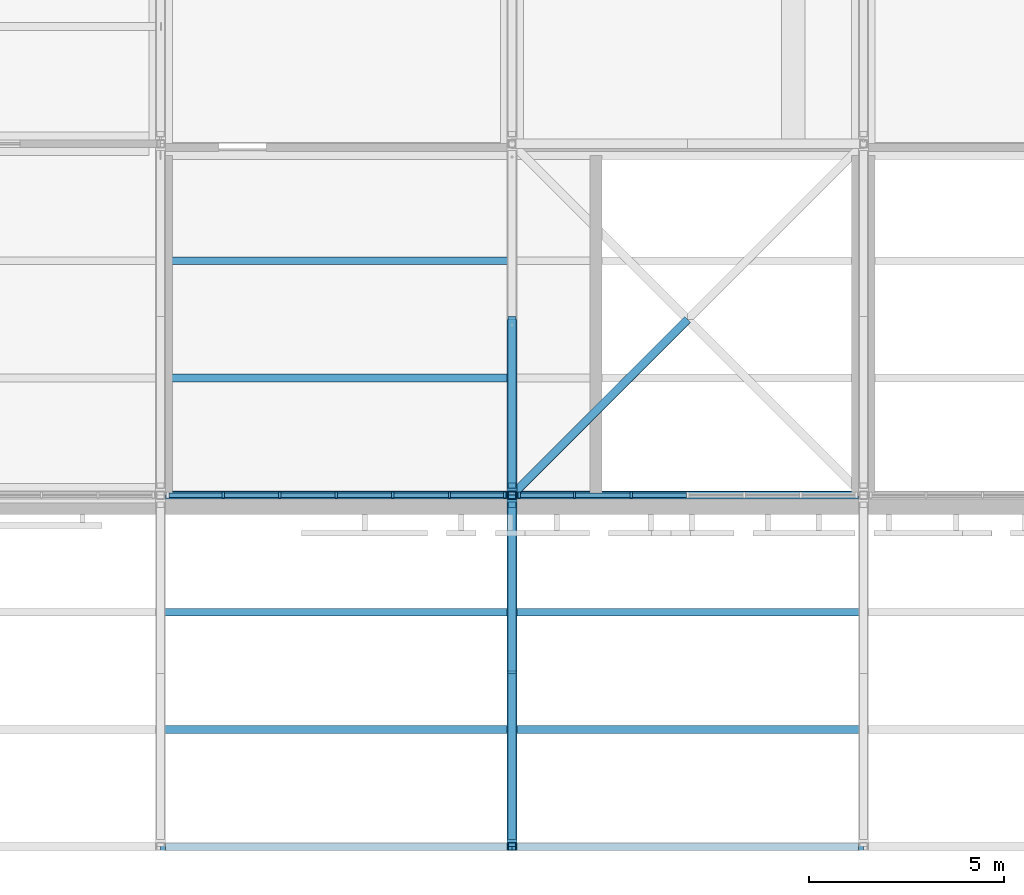
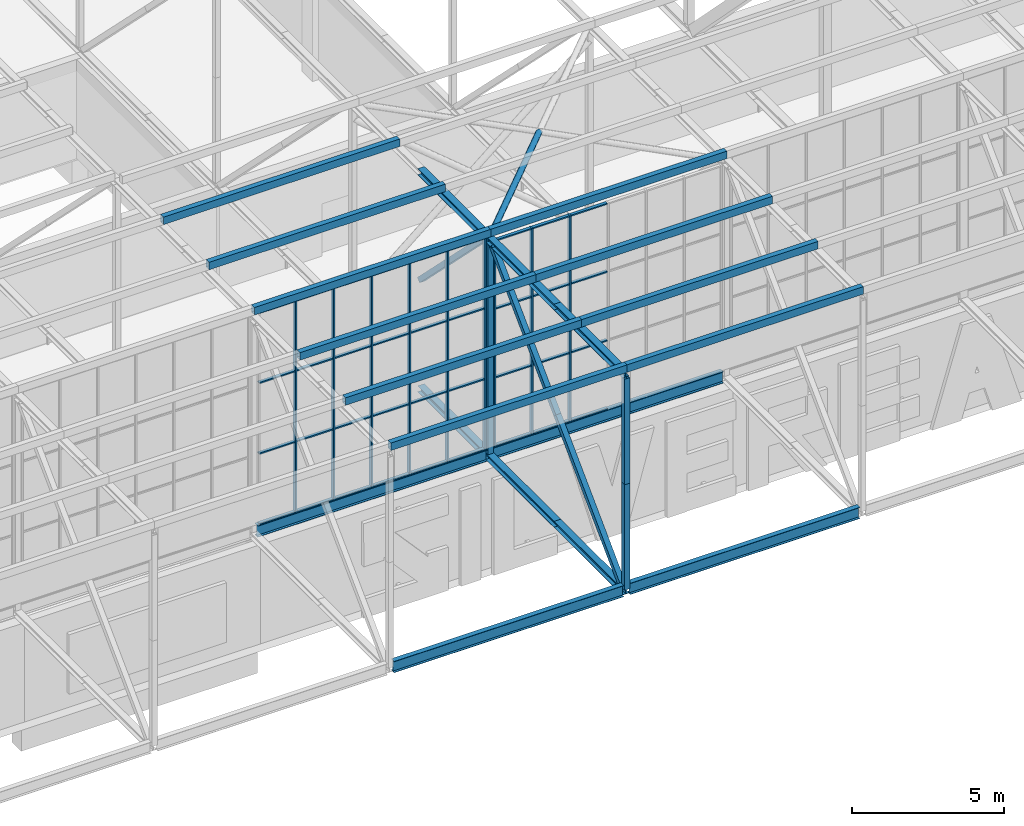
# One storey, part 16 of 646: 69 members, 4 beams, 2 elements without a shape of their own.
"""IFC4 building model written with IfcOpenShell, lengths in metres."""

import ifcopenshell
import ifcopenshell.guid

model = None  # the IFC model being written
_history = None  # IfcOwnerHistory: only IFC2X3 demands one
_inside = {}  # id of a spatial element -> (the spatial element, [elements in it])
_under = {}  # id of a project, library or spatial element -> (it, [spatial elements below it])
_declared = {}  # id of a project -> (the project, [libraries it declares])
_typed = {}  # id of a type object -> (the type object, [elements of that type])
_made_of = {}  # id of a material, layer set ... -> (it, [elements and type objects made of it])


def new_model(schema):
    """Start an empty IFC model of exactly this schema.

    Asked for "IFC4X3", IfcOpenShell would pick the latest addendum, in which some entities
    have other attributes; the version numbers below select the first issue.
    IFC2X3 requires an IfcOwnerHistory on every rooted entity: one is made here for all.
    """
    global model, _history
    if schema == "IFC4X3":
        model = ifcopenshell.file(schema_version=(4, 3, 0, 0))
    else:
        model = ifcopenshell.file(schema=schema)
    _inside.clear()
    _under.clear()
    _declared.clear()
    _typed.clear()
    _made_of.clear()
    _history = None
    if model.schema == "IFC2X3":
        org = make("IfcOrganization", Name="unknown")
        user = make(
            "IfcPersonAndOrganization",
            ThePerson=make("IfcPerson", FamilyName="unknown"),
            TheOrganization=org,
        )
        app = make(
            "IfcApplication",
            ApplicationDeveloper=org,
            Version="unknown",
            ApplicationFullName="unknown",
            ApplicationIdentifier="unknown",
        )
        _history = make(
            "IfcOwnerHistory",
            OwningUser=user,
            OwningApplication=app,
            ChangeAction="ADDED",
            CreationDate=0,
        )
    return model


def make(cls, **values):
    """One entity of the class cls with the attributes given. An attribute that is None is left unset."""
    return model.create_entity(
        cls, **{name: value for name, value in values.items() if value is not None}
    )


def rooted(cls, **values):
    """An entity with a GlobalId (a new one), such as an element, a storey or a relation."""
    return make(cls, GlobalId=ifcopenshell.guid.new(), OwnerHistory=_history, **values)


def si_unit(unit_type, name, prefix=None):
    """IfcSIUnit, for example si_unit("LENGTHUNIT", "METRE", prefix="MILLI")."""
    return make("IfcSIUnit", UnitType=unit_type, Prefix=prefix, Name=name)


def assignment(units):
    """IfcUnitAssignment: the units of a project."""
    return None if units is None else make("IfcUnitAssignment", Units=units)


def point(xyz):
    """IfcCartesianPoint."""
    return None if xyz is None else make("IfcCartesianPoint", Coordinates=xyz)


def direction(xyz):
    """IfcDirection."""
    return None if xyz is None else make("IfcDirection", DirectionRatios=xyz)


def frame(location, z_axis=None, x_axis=None):
    """IfcAxis2Placement3D, a coordinate frame: its origin and axes. An axis left out is left unset."""
    return make(
        "IfcAxis2Placement3D",
        Location=point(location),
        Axis=direction(z_axis),
        RefDirection=direction(x_axis),
    )


def frame_2d(location, x_axis=None):
    """IfcAxis2Placement2D, a coordinate frame in the plane: its origin and x axis."""
    return make(
        "IfcAxis2Placement2D", Location=point(location), RefDirection=direction(x_axis)
    )


def origin():
    """The frame at (0, 0, 0) with its axes left unset."""
    return frame((0.0, 0.0, 0.0))


def origin_2d():
    """The frame at (0, 0) in the plane with its x axis left unset."""
    return frame_2d((0.0, 0.0))


def place(relative_to, where):
    """IfcLocalPlacement: puts the frame where relative to a parent placement (None: the world)."""
    return make(
        "IfcLocalPlacement", PlacementRelTo=relative_to, RelativePlacement=where
    )


def context(
    kind, dimensions, precision=None, world=None, true_north=None, identifier=None
):
    """IfcGeometricRepresentationContext, for example the 3D "Model" context."""
    return make(
        "IfcGeometricRepresentationContext",
        ContextIdentifier=identifier,
        ContextType=kind,
        CoordinateSpaceDimension=dimensions,
        Precision=precision,
        WorldCoordinateSystem=world,
        TrueNorth=true_north,
    )


def subcontext(parent, identifier, kind, view, scale=None):
    """IfcGeometricRepresentationSubContext, for example "Body" below "Model"."""
    return make(
        "IfcGeometricRepresentationSubContext",
        ContextIdentifier=identifier,
        ContextType=kind,
        ParentContext=parent,
        TargetScale=scale,
        TargetView=view,
    )


def project(units=None, contexts=None):
    """IfcProject with its units and contexts."""
    return rooted(
        "IfcProject",
        Name="project",
        RepresentationContexts=contexts,
        UnitsInContext=assignment(units),
    )


def spatial(cls, under=None, at=None, **own):
    """A site, building, storey or space (cls), placed at a placement, below another one or the project."""
    s = rooted(cls, ObjectPlacement=at, **own)
    if under is not None:
        _under.setdefault(under.id(), (under, []))[1].append(s)
    return s


def profile(cls, at=None, kind="AREA", **sizes):
    """A parametric profile (cls). Its sizes go by their IFC names, for example OverallWidth=200.0."""
    return make(cls, ProfileType=kind, Position=at, **sizes)


def rectangle(**sizes):
    """IfcRectangleProfileDef."""
    return profile("IfcRectangleProfileDef", **sizes)


def hollow_rectangle(**sizes):
    """IfcRectangleHollowProfileDef."""
    return profile("IfcRectangleHollowProfileDef", **sizes)


def hollow_circle(**sizes):
    """IfcCircleHollowProfileDef."""
    return profile("IfcCircleHollowProfileDef", **sizes)


def i_section(**sizes):
    """IfcIShapeProfileDef."""
    return profile("IfcIShapeProfileDef", **sizes)


def extrude(swept, where, along, depth):
    """IfcExtrudedAreaSolid: the profile swept, set in the frame where, extruded along a direction by depth."""
    return make(
        "IfcExtrudedAreaSolid",
        SweptArea=swept,
        Position=where,
        ExtrudedDirection=direction(along),
        Depth=depth,
    )


def shape(context_of_items, identifier, shape_type, items):
    """IfcShapeRepresentation: the items that make up one representation, for example the "Body"."""
    return make(
        "IfcShapeRepresentation",
        ContextOfItems=context_of_items,
        RepresentationIdentifier=identifier,
        RepresentationType=shape_type,
        Items=items,
    )


def material(Name=None, Category=None):
    """IfcMaterial."""
    return make("IfcMaterial", Name=Name, Category=Category)


def material_profile(
    of_material, cross_section, Name=None, Category=None, Priority=None
):
    """IfcMaterialProfile: a cross section and its material."""
    return make(
        "IfcMaterialProfile",
        Name=Name,
        Material=of_material,
        Profile=cross_section,
        Priority=Priority,
        Category=Category,
    )


def profile_set(profiles, Name=None, composite=None):
    """IfcMaterialProfileSet."""
    return make(
        "IfcMaterialProfileSet",
        Name=Name,
        MaterialProfiles=profiles,
        CompositeProfile=composite,
    )


def made_of(thing, what):
    """Note that an element or type object is made of a material, layer set ...; save() writes the relation."""
    if what is not None:
        _made_of.setdefault(what.id(), (what, []))[1].append(thing)
    return thing


def type_object(cls, material=None, **own):
    """A type object (cls), such as IfcWallType, which elements share."""
    return made_of(rooted(cls, **own), material)


def element(
    cls,
    number,
    at=None,
    inside=None,
    cuts=None,
    type_object=None,
    material=None,
    context=None,
    identifier="Body",
    shape_type=None,
    held_by="IfcProductDefinitionShape",
    body=None,
    shapes=None,
    **own,
):
    """One element of the class cls, such as IfcWall. Its Tag is "e" and its number.

    at: its placement. inside: the storey or other place that contains it. cuts: it is an
    opening in that element (IfcRelVoidsElement). A single representation is given by context,
    identifier, shape_type and body (its items); several are given by shapes. held_by: the class
    of the entity that holds the representations. save() writes the other relations.
    """
    e = rooted(cls, Tag="e%d" % number, ObjectPlacement=at, **own)
    if body is not None:
        shapes = [shape(context, identifier, shape_type, body)]
    if shapes is not None:
        e.Representation = make(held_by, Representations=shapes)
    if inside is not None:
        _inside.setdefault(inside.id(), (inside, []))[1].append(e)
    if cuts is not None:
        rooted(
            "IfcRelVoidsElement", RelatingBuildingElement=cuts, RelatedOpeningElement=e
        )
    if type_object is not None:
        _typed.setdefault(type_object.id(), (type_object, []))[1].append(e)
    return made_of(e, material)


def aggregate(whole, parts):
    """IfcRelAggregates: a whole, such as a stair, and the parts it consists of."""
    return rooted("IfcRelAggregates", RelatingObject=whole, RelatedObjects=parts)


def save(model, path):
    """Write the relations noted so far, then the file.

    IfcRelAggregates (storeys below a building ...), IfcRelContainedInSpatialStructure (elements
    in a storey), IfcRelDefinesByType, IfcRelAssociatesMaterial and IfcRelDeclares: one each for
    every whole, place, type object, material and project.
    """
    for whole, parts in _under.values():
        aggregate(whole, parts)
    for where, things in _inside.values():
        rooted(
            "IfcRelContainedInSpatialStructure",
            RelatedElements=things,
            RelatingStructure=where,
        )
    for kind, things in _typed.values():
        rooted("IfcRelDefinesByType", RelatedObjects=things, RelatingType=kind)
    for what, things in _made_of.values():
        rooted("IfcRelAssociatesMaterial", RelatedObjects=things, RelatingMaterial=what)
    for by, libraries in _declared.values():
        rooted("IfcRelDeclares", RelatingContext=by, RelatedDefinitions=libraries)
    model.write(path)


model = new_model("IFC4")

# Units and contexts
model_context = context("Model", 3, precision=1e-05, world=origin(), true_north=direction((0.0, 1.0)))
body_context = subcontext(model_context, "Body", "Model", "MODEL_VIEW")
ifc_project = project(units=[si_unit("LENGTHUNIT", "METRE"), si_unit("AREAUNIT", "SQUARE_METRE"), si_unit("VOLUMEUNIT", "CUBIC_METRE"), si_unit("PLANEANGLEUNIT", "RADIAN"), si_unit("MASSUNIT", "GRAM", prefix="KILO")], contexts=[model_context])

# Site, building, storey
site_placement = place(None, origin())
site = spatial("IfcSite", under=ifc_project, at=site_placement, CompositionType="ELEMENT")
building_placement = place(site_placement, origin())
building = spatial("IfcBuilding", under=site, at=building_placement, Name="Silverbay Arena", CompositionType="ELEMENT")
storey_placement = place(building_placement, frame((0.0, 0.0, 33.5)))
storey = spatial("IfcBuildingStorey", under=building, at=storey_placement, Name="L05", CompositionType="ELEMENT", Elevation=33.5)

# Members
ifc_material_1 = material(Name="Steel S355", Category="steel")
ifc_material_profile_1 = material_profile(ifc_material_1, i_section(OverallWidth=0.254638671875, OverallDepth=0.254150390625, WebThickness=0.008544921875, FlangeThickness=0.01416015625, at=origin_2d()), Name="UC 254x254x73")
ifc_profile_set_1 = profile_set([ifc_material_profile_1], Name="Steel S355")
member_type_1 = type_object("IfcMemberType", Name="Medium-span bottom chord UC 254x254x73", PredefinedType="CHORD", material=ifc_profile_set_1)
for number, where, z_axis, x_axis, name in (
    (1, (90.0, 9.0, 4.126953125), (0.0, 1.0, 0.0), (-1.0, 0.0, 0.0), "ROOF TRUSS 11 bottom chord 01a"),
    (2, (90.0, 13.5, 4.126953125), (0.0, 1.0, 0.0), (-1.0, 0.0, 0.0), "ROOF TRUSS 11 bottom chord 01b"),
    (3, (90.0, 18.0, 4.126953125), (0.0, 1.0, 0.0), (-1.0, 0.0, 0.0), "ROOF TRUSS 11 bottom chord 02a"),
):
    element("IfcMember", number, at=place(storey_placement, frame(where, z_axis=z_axis, x_axis=x_axis)), inside=storey, type_object=member_type_1, Name=name, PredefinedType="CHORD", context=body_context, shape_type="SweptSolid", body=[
        extrude(i_section(OverallWidth=0.254638671875, OverallDepth=0.254150390625, WebThickness=0.008544921875, FlangeThickness=0.01416015625, at=origin_2d()), origin(), (0.0, 0.0, 1.0), 4.5),
    ])
ifc_material_2 = material(Name="Steel S355", Category="steel")
ifc_material_profile_2 = material_profile(ifc_material_2, i_section(OverallWidth=0.254638671875, OverallDepth=0.254150390625, WebThickness=0.008544921875, FlangeThickness=0.01416015625, at=origin_2d()), Name="UC 254x254x73")
ifc_profile_set_2 = profile_set([ifc_material_profile_2], Name="Steel S355")
member_type_2 = type_object("IfcMemberType", Name="Medium-span top chord UC 254x254x73", PredefinedType="CHORD", material=ifc_profile_set_2)
for number, where, z_axis, x_axis, name in (
    (4, (90.0, 9.0, 12.873046875), (0.0, 1.0, 0.0), (-1.0, 0.0, 0.0), "ROOF TRUSS 11 top chord 01a"),
    (5, (90.0, 13.5, 12.873046875), (0.0, 1.0, 0.0), (-1.0, 0.0, 0.0), "ROOF TRUSS 11 top chord 01b"),
    (6, (90.0, 18.0, 12.873046875), (0.0, 1.0, 0.0), (-1.0, 0.0, 0.0), "ROOF TRUSS 11 top chord 02a"),
):
    element("IfcMember", number, at=place(storey_placement, frame(where, z_axis=z_axis, x_axis=x_axis)), inside=storey, type_object=member_type_2, Name=name, PredefinedType="CHORD", context=body_context, shape_type="SweptSolid", body=[
        extrude(i_section(OverallWidth=0.254638671875, OverallDepth=0.254150390625, WebThickness=0.008544921875, FlangeThickness=0.01416015625, at=origin_2d()), origin(), (0.0, 0.0, 1.0), 4.5),
    ])
ifc_material_3 = material(Name="Steel S355", Category="steel")
ifc_material_profile_3 = material_profile(ifc_material_3, hollow_rectangle(XDim=0.199951171875, YDim=0.199951171875, WallThickness=0.008056640625, at=origin_2d()), Name="SHS 200x200x8")
ifc_profile_set_3 = profile_set([ifc_material_profile_3], Name="Steel S355")
member_type_3 = type_object("IfcMemberType", Name="Medium-span truss diagonal SHS 200x200x8", PredefinedType="BRACE", material=ifc_profile_set_3)
for number, where, z_axis, x_axis, name in (
    (7, (90.0, 17.75439453125, 12.745849609375), (0.0, -0.70781724692, -0.706395600894), (1.0, 0.0, 0.0), "ROOF TRUSS 11 diagonal 01a"),
    (8, (90.0, 13.5, 8.5), (0.0, -0.70781724692, -0.706395600894), (1.0, 0.0, 0.0), "ROOF TRUSS 11 diagonal 01b"),
    (9, (90.0, 18.24560546875, 12.745849609375), (0.0, 0.70781724692, -0.706395600894), (-1.0, 0.0, 0.0), "ROOF TRUSS 11 diagonal 02a"),
):
    element("IfcMember", number, at=place(storey_placement, frame(where, z_axis=z_axis, x_axis=x_axis)), inside=storey, type_object=member_type_3, Name=name, PredefinedType="BRACE", context=body_context, shape_type="SweptSolid", body=[
        extrude(hollow_rectangle(XDim=0.199951171875, YDim=0.199951171875, WallThickness=0.008056640625, at=origin_2d()), origin(), (0.0, 0.0, 1.0), 6.010498046875),
    ])
ifc_material_4 = material(Name="Steel S355", Category="steel")
ifc_material_profile_4 = material_profile(ifc_material_4, hollow_rectangle(XDim=0.199951171875, YDim=0.199951171875, WallThickness=0.008056640625, at=origin_2d()), Name="SHS 200x200x8")
ifc_profile_set_4 = profile_set([ifc_material_profile_4], Name="Steel S355")
member_type_4 = type_object("IfcMemberType", Name="Medium-span truss vertical SHS 200x200x8", PredefinedType="STRUT", material=ifc_profile_set_4)
for number, where, z_axis, x_axis, name in (
    (10, (90.0, 9.0, 4.254150390625), (0.0, 0.0, 1.0), (1.0, 0.0, 0.0), "ROOF TRUSS 11 vertical 01a"),
    (11, (90.0, 9.0, 8.5), (0.0, 0.0, 1.0), (1.0, 0.0, 0.0), "ROOF TRUSS 11 vertical 01b"),
    (12, (90.0, 18.0, 4.254150390625), (0.0, 0.0, 1.0), (1.0, 0.0, 0.0), "ROOF TRUSS 11 vertical 02a"),
    (13, (90.0, 18.0, 8.5), (0.0, 0.0, 1.0), (1.0, 0.0, 0.0), "ROOF TRUSS 11 vertical 02b"),
):
    element("IfcMember", number, at=place(storey_placement, frame(where, z_axis=z_axis, x_axis=x_axis)), inside=storey, type_object=member_type_4, Name=name, PredefinedType="STRUT", context=body_context, shape_type="SweptSolid", body=[
        extrude(hollow_rectangle(XDim=0.199951171875, YDim=0.199951171875, WallThickness=0.008056640625, at=origin_2d()), origin(), (0.0, 0.0, 1.0), 4.245849609375),
    ])

# Curtain wall, members
ifc_material_5 = material(Name="Aluminium framed glazing", Category="aluminium")
curtain_wall_type_1 = type_object("IfcCurtainWallType", Name="Curtain wall clerestory 8693 x 8540", PredefinedType="NOTDEFINED", material=ifc_material_5)
curtain_wall_1_placement = place(storey_placement, origin())
curtain_wall_1 = element("IfcCurtainWall", 14, at=curtain_wall_1_placement, inside=storey, type_object=curtain_wall_type_1, Name="ROOF CLERESTORY CURTAIN WALL south bay 04", PredefinedType="NOTDEFINED")
ifc_material_6 = material(Name="Aluminium", Category="aluminium")
ifc_material_profile_5 = material_profile(ifc_material_6, rectangle(XDim=0.159912109375, YDim=0.06005859375, at=origin_2d()), Name="Mullion 60 x 160")
ifc_profile_set_5 = profile_set([ifc_material_profile_5], Name="Aluminium")
member_type_5 = type_object("IfcMemberType", Name="Mullion 60 x 160", PredefinedType="MULLION", material=ifc_profile_set_5)
member_1_placement = place(storey_placement, frame((82.6025390625, 18.0, 4.4599609375), z_axis=(0.0, 0.0, 1.0), x_axis=(0.0, 1.0, 0.0)))
member_1 = element("IfcMember", 15, at=member_1_placement, type_object=member_type_5, Name="CW55 mullion 2", PredefinedType="MULLION", context=body_context, shape_type="SweptSolid", body=[
    extrude(rectangle(XDim=0.159912109375, YDim=0.06005859375, at=origin_2d()), origin(), (0.0, 0.0, 1.0), 8.5400390625),
])
member_2_placement = place(storey_placement, frame((84.05126953125, 18.0, 4.4599609375), z_axis=(0.0, 0.0, 1.0), x_axis=(0.0, 1.0, 0.0)))
member_2 = element("IfcMember", 16, at=member_2_placement, type_object=member_type_5, Name="CW55 mullion 3", PredefinedType="MULLION", context=body_context, shape_type="SweptSolid", body=[
    extrude(rectangle(XDim=0.159912109375, YDim=0.06005859375, at=origin_2d()), origin(), (0.0, 0.0, 1.0), 8.5400390625),
])
member_3_placement = place(storey_placement, frame((85.5, 18.0, 4.4599609375), z_axis=(0.0, 0.0, 1.0), x_axis=(0.0, 1.0, 0.0)))
member_3 = element("IfcMember", 17, at=member_3_placement, type_object=member_type_5, Name="CW55 mullion 4", PredefinedType="MULLION", context=body_context, shape_type="SweptSolid", body=[
    extrude(rectangle(XDim=0.159912109375, YDim=0.06005859375, at=origin_2d()), origin(), (0.0, 0.0, 1.0), 8.5400390625),
])
member_4_placement = place(storey_placement, frame((86.94873046875, 18.0, 4.4599609375), z_axis=(0.0, 0.0, 1.0), x_axis=(0.0, 1.0, 0.0)))
member_4 = element("IfcMember", 18, at=member_4_placement, type_object=member_type_5, Name="CW55 mullion 5", PredefinedType="MULLION", context=body_context, shape_type="SweptSolid", body=[
    extrude(rectangle(XDim=0.159912109375, YDim=0.06005859375, at=origin_2d()), origin(), (0.0, 0.0, 1.0), 8.5400390625),
])
member_5_placement = place(storey_placement, frame((88.3974609375, 18.0, 4.4599609375), z_axis=(0.0, 0.0, 1.0), x_axis=(0.0, 1.0, 0.0)))
member_5 = element("IfcMember", 19, at=member_5_placement, type_object=member_type_5, Name="CW55 mullion 6", PredefinedType="MULLION", context=body_context, shape_type="SweptSolid", body=[
    extrude(rectangle(XDim=0.159912109375, YDim=0.06005859375, at=origin_2d()), origin(), (0.0, 0.0, 1.0), 8.5400390625),
])
member_6_placement = place(storey_placement, frame((89.81640625, 18.0, 4.4599609375), z_axis=(0.0, 0.0, 1.0), x_axis=(0.0, 1.0, 0.0)))
member_6 = element("IfcMember", 20, at=member_6_placement, type_object=member_type_5, Name="CW55 mullion 7", PredefinedType="MULLION", context=body_context, shape_type="SweptSolid", body=[
    extrude(rectangle(XDim=0.159912109375, YDim=0.06005859375, at=origin_2d()), origin(), (0.0, 0.0, 1.0), 8.5400390625),
])

ifc_material_7 = material(Name="Aluminium framed glazing", Category="aluminium")
curtain_wall_type_2 = type_object("IfcCurtainWallType", Name="Curtain wall clerestory 8693 x 8303", PredefinedType="NOTDEFINED", material=ifc_material_7)
curtain_wall_2_placement = place(storey_placement, origin())
curtain_wall_2 = element("IfcCurtainWall", 21, at=curtain_wall_2_placement, inside=storey, type_object=curtain_wall_type_2, Name="ROOF CLERESTORY CURTAIN WALL south bay 05", PredefinedType="NOTDEFINED")
member_7_placement = place(storey_placement, frame((90.18359375, 18.0, 4.4599609375), z_axis=(0.0, 0.0, 1.0), x_axis=(0.0, 1.0, 0.0)))
member_7 = element("IfcMember", 22, at=member_7_placement, type_object=member_type_5, Name="CW54 mullion 1", PredefinedType="MULLION", context=body_context, shape_type="SweptSolid", body=[
    extrude(rectangle(XDim=0.159912109375, YDim=0.06005859375, at=origin_2d()), origin(), (0.0, 0.0, 1.0), 8.303466796875),
])
member_8_placement = place(storey_placement, frame((91.6025390625, 18.0, 4.4599609375), z_axis=(0.0, 0.0, 1.0), x_axis=(0.0, 1.0, 0.0)))
member_8 = element("IfcMember", 23, at=member_8_placement, type_object=member_type_5, Name="CW54 mullion 2", PredefinedType="MULLION", context=body_context, shape_type="SweptSolid", body=[
    extrude(rectangle(XDim=0.159912109375, YDim=0.06005859375, at=origin_2d()), origin(), (0.0, 0.0, 1.0), 8.303466796875),
])
member_9_placement = place(storey_placement, frame((93.05126953125, 18.0, 4.4599609375), z_axis=(0.0, 0.0, 1.0), x_axis=(0.0, 1.0, 0.0)))
member_9 = element("IfcMember", 24, at=member_9_placement, type_object=member_type_5, Name="CW54 mullion 3", PredefinedType="MULLION", context=body_context, shape_type="SweptSolid", body=[
    extrude(rectangle(XDim=0.159912109375, YDim=0.06005859375, at=origin_2d()), origin(), (0.0, 0.0, 1.0), 8.303466796875),
])

# Members
ifc_material_8 = material(Name="Steel S355", Category="steel")
ifc_material_profile_6 = material_profile(ifc_material_8, hollow_circle(Radius=0.109619140625, WallThickness=0.00634765625, at=origin_2d()), Name="CHS 219.1x6.3")
ifc_profile_set_6 = profile_set([ifc_material_profile_6], Name="Steel S355")
member_type_6 = type_object("IfcMemberType", Name="Plan bracing CHS 219.1x6.3", PredefinedType="BRACE", material=ifc_profile_set_6)
member_10_placement = place(storey_placement, frame((90.0, 18.0, 12.873046875), z_axis=(0.707106781187, 0.707106781187, 0.0), x_axis=(-0.707106781187, 0.707106781187, 0.0)))
element("IfcMember", 25, at=member_10_placement, inside=storey, type_object=member_type_6, Name="ROOF BRACING top 11-12 panel 02 Aa", PredefinedType="BRACE", context=body_context, shape_type="SweptSolid", body=[
    extrude(hollow_circle(Radius=0.109619140625, WallThickness=0.00634765625, at=origin_2d()), origin(), (0.0, 0.0, 1.0), 6.364013671875),
])
ifc_material_9 = material(Name="Steel S355", Category="steel")
ifc_material_profile_7 = material_profile(ifc_material_9, hollow_rectangle(XDim=0.199951171875, YDim=0.300048828125, WallThickness=0.00634765625, at=origin_2d()), Name="RHS 300x200x6.3")
ifc_profile_set_7 = profile_set([ifc_material_profile_7], Name="Steel S355")
member_type_7 = type_object("IfcMemberType", Name="Purlin RHS 300x200x6.3", PredefinedType="PURLIN", material=ifc_profile_set_7)
member_11_placement = place(storey_placement, frame((81.0, 24.0, 13.14990234375), z_axis=(1.0, 0.0, 0.0), x_axis=(0.0, 1.0, 0.0)))
element("IfcMember", 26, at=member_11_placement, inside=storey, type_object=member_type_7, Name="ROOF PURLIN 10-11 line 06", PredefinedType="PURLIN", context=body_context, shape_type="SweptSolid", body=[
    extrude(hollow_rectangle(XDim=0.199951171875, YDim=0.300048828125, WallThickness=0.00634765625, at=origin_2d()), origin(), (0.0, 0.0, 1.0), 9.0),
])
ifc_material_10 = material(Name="Steel S355", Category="steel")
ifc_material_profile_8 = material_profile(ifc_material_10, hollow_rectangle(XDim=0.199951171875, YDim=0.300048828125, WallThickness=0.008056640625, at=origin_2d()), Name="RHS 300x200x8")
ifc_profile_set_8 = profile_set([ifc_material_profile_8], Name="Steel S355")
member_type_8 = type_object("IfcMemberType", Name="Purlin RHS 300x200x8", PredefinedType="PURLIN", material=ifc_profile_set_8)
for number, where, z_axis, x_axis, name in (
    (27, (81.0, 9.0, 13.14990234375), (1.0, 0.0, 0.0), (0.0, 1.0, 0.0), "ROOF PURLIN 10-11 line 01"),
    (28, (81.0, 12.0, 13.14990234375), (1.0, 0.0, 0.0), (0.0, 1.0, 0.0), "ROOF PURLIN 10-11 line 02"),
    (29, (81.0, 15.0, 13.14990234375), (1.0, 0.0, 0.0), (0.0, 1.0, 0.0), "ROOF PURLIN 10-11 line 03"),
    (30, (81.0, 18.0, 13.14990234375), (1.0, 0.0, 0.0), (0.0, 1.0, 0.0), "ROOF PURLIN 10-11 line 04"),
    (31, (81.0, 21.0, 13.14990234375), (1.0, 0.0, 0.0), (0.0, 1.0, 0.0), "ROOF PURLIN 10-11 line 05"),
    (32, (90.0, 9.0, 13.14990234375), (1.0, 0.0, 0.0), (0.0, 1.0, 0.0), "ROOF PURLIN 11-12 line 01"),
    (33, (90.0, 12.0, 13.14990234375), (1.0, 0.0, 0.0), (0.0, 1.0, 0.0), "ROOF PURLIN 11-12 line 02"),
    (34, (90.0, 15.0, 13.14990234375), (1.0, 0.0, 0.0), (0.0, 1.0, 0.0), "ROOF PURLIN 11-12 line 03"),
    (35, (90.0, 18.0, 13.14990234375), (1.0, 0.0, 0.0), (0.0, 1.0, 0.0), "ROOF PURLIN 11-12 line 04"),
):
    element("IfcMember", number, at=place(storey_placement, frame(where, z_axis=z_axis, x_axis=x_axis)), inside=storey, type_object=member_type_8, Name=name, PredefinedType="PURLIN", context=body_context, shape_type="SweptSolid", body=[
        extrude(hollow_rectangle(XDim=0.199951171875, YDim=0.300048828125, WallThickness=0.008056640625, at=origin_2d()), origin(), (0.0, 0.0, 1.0), 9.0),
    ])

# Beams
ifc_material_11 = material(Name="Steel S355", Category="steel")
ifc_material_profile_9 = material_profile(ifc_material_11, i_section(OverallWidth=0.18994140625, OverallDepth=0.453369140625, WebThickness=0.008544921875, FlangeThickness=0.0126953125, at=origin_2d()), Name="UB 457x191x67")
ifc_profile_set_9 = profile_set([ifc_material_profile_9], Name="Steel S355")
beam_type_1 = type_object("IfcBeamType", Name="Ring beam UB 457x191x67", PredefinedType="BEAM", material=ifc_profile_set_9)
for number, where, z_axis, x_axis, name in (
    (36, (81.127197265625, 9.0, 4.226806640625), (1.0, 0.0, 0.0), (0.0, 1.0, 0.0), "RING BEAM south edge 10-11"),
    (37, (90.127197265625, 9.0, 4.226806640625), (1.0, 0.0, 0.0), (0.0, 1.0, 0.0), "RING BEAM south edge 11-12"),
):
    element("IfcBeam", number, at=place(storey_placement, frame(where, z_axis=z_axis, x_axis=x_axis)), inside=storey, type_object=beam_type_1, Name=name, PredefinedType="BEAM", context=body_context, shape_type="SweptSolid", body=[
        extrude(i_section(OverallWidth=0.18994140625, OverallDepth=0.453369140625, WebThickness=0.008544921875, FlangeThickness=0.0126953125, at=origin_2d()), origin(), (0.0, 0.0, 1.0), 8.74560546875),
    ])
ifc_material_12 = material(Name="Steel S355", Category="steel")
ifc_material_profile_10 = material_profile(ifc_material_12, i_section(OverallWidth=0.19140625, OverallDepth=0.4599609375, WebThickness=0.010009765625, FlangeThickness=0.01611328125, at=origin_2d()), Name="UB 457x191x82")
ifc_profile_set_10 = profile_set([ifc_material_profile_10], Name="Steel S355")
beam_type_2 = type_object("IfcBeamType", Name="Ring beam UB 457x191x82", PredefinedType="BEAM", material=ifc_profile_set_10)
for number, where, z_axis, x_axis, name in (
    (38, (81.127197265625, 18.0, 4.22998046875), (1.0, 0.0, 0.0), (0.0, 1.0, 0.0), "RING BEAM south facade 10-11"),
    (39, (90.127197265625, 18.0, 4.22998046875), (1.0, 0.0, 0.0), (0.0, 1.0, 0.0), "RING BEAM south facade 11-12"),
):
    element("IfcBeam", number, at=place(storey_placement, frame(where, z_axis=z_axis, x_axis=x_axis)), inside=storey, type_object=beam_type_2, Name=name, PredefinedType="BEAM", context=body_context, shape_type="SweptSolid", body=[
        extrude(i_section(OverallWidth=0.19140625, OverallDepth=0.4599609375, WebThickness=0.010009765625, FlangeThickness=0.01611328125, at=origin_2d()), origin(), (0.0, 0.0, 1.0), 8.74560546875),
    ])

# Member
ifc_material_13 = material(Name="Aluminium", Category="aluminium")
ifc_material_profile_11 = material_profile(ifc_material_13, rectangle(XDim=0.1201171875, YDim=0.050048828125, at=origin_2d()), Name="Transom 50 x 120")
ifc_profile_set_11 = profile_set([ifc_material_profile_11], Name="Aluminium")
member_type_9 = type_object("IfcMemberType", Name="Transom 50 x 120", PredefinedType="USERDEFINED", material=ifc_profile_set_11)
member_12_placement = place(storey_placement, frame((81.213623046875, 18.0, 4.485107421875), z_axis=(1.0, 0.0, 0.0), x_axis=(0.0, 1.0, 0.0)))
member_12 = element("IfcMember", 40, at=member_12_placement, type_object=member_type_9, Name="CW55 transom 1.1", ObjectType="TRANSOM", PredefinedType="USERDEFINED", context=body_context, shape_type="SweptSolid", body=[
    extrude(rectangle(XDim=0.1201171875, YDim=0.050048828125, at=origin_2d()), origin(), (0.0, 0.0, 1.0), 1.35888671875),
])

member_13_placement = place(storey_placement, frame((81.213623046875, 18.0, 7.306640625), z_axis=(1.0, 0.0, 0.0), x_axis=(0.0, 1.0, 0.0)))
member_13 = element("IfcMember", 41, at=member_13_placement, type_object=member_type_9, Name="CW55 transom 1.2", ObjectType="TRANSOM", PredefinedType="USERDEFINED", context=body_context, shape_type="SweptSolid", body=[
    extrude(rectangle(XDim=0.1201171875, YDim=0.050048828125, at=origin_2d()), origin(), (0.0, 0.0, 1.0), 1.35888671875),
])

member_14_placement = place(storey_placement, frame((81.213623046875, 18.0, 10.1533203125), z_axis=(1.0, 0.0, 0.0), x_axis=(0.0, 1.0, 0.0)))
member_14 = element("IfcMember", 42, at=member_14_placement, type_object=member_type_9, Name="CW55 transom 1.3", ObjectType="TRANSOM", PredefinedType="USERDEFINED", context=body_context, shape_type="SweptSolid", body=[
    extrude(rectangle(XDim=0.1201171875, YDim=0.050048828125, at=origin_2d()), origin(), (0.0, 0.0, 1.0), 1.35888671875),
])

member_15_placement = place(storey_placement, frame((81.213623046875, 18.0, 12.97509765625), z_axis=(1.0, 0.0, 0.0), x_axis=(0.0, 1.0, 0.0)))
member_15 = element("IfcMember", 43, at=member_15_placement, type_object=member_type_9, Name="CW55 transom 1.4", ObjectType="TRANSOM", PredefinedType="USERDEFINED", context=body_context, shape_type="SweptSolid", body=[
    extrude(rectangle(XDim=0.1201171875, YDim=0.050048828125, at=origin_2d()), origin(), (0.0, 0.0, 1.0), 1.35888671875),
])

member_16_placement = place(storey_placement, frame((82.632568359375, 18.0, 4.485107421875), z_axis=(1.0, 0.0, 0.0), x_axis=(0.0, 1.0, 0.0)))
member_16 = element("IfcMember", 44, at=member_16_placement, type_object=member_type_9, Name="CW55 transom 2.1", ObjectType="TRANSOM", PredefinedType="USERDEFINED", context=body_context, shape_type="SweptSolid", body=[
    extrude(rectangle(XDim=0.1201171875, YDim=0.050048828125, at=origin_2d()), origin(), (0.0, 0.0, 1.0), 1.388671875),
])

member_17_placement = place(storey_placement, frame((82.632568359375, 18.0, 7.306640625), z_axis=(1.0, 0.0, 0.0), x_axis=(0.0, 1.0, 0.0)))
member_17 = element("IfcMember", 45, at=member_17_placement, type_object=member_type_9, Name="CW55 transom 2.2", ObjectType="TRANSOM", PredefinedType="USERDEFINED", context=body_context, shape_type="SweptSolid", body=[
    extrude(rectangle(XDim=0.1201171875, YDim=0.050048828125, at=origin_2d()), origin(), (0.0, 0.0, 1.0), 1.388671875),
])

member_18_placement = place(storey_placement, frame((82.632568359375, 18.0, 10.1533203125), z_axis=(1.0, 0.0, 0.0), x_axis=(0.0, 1.0, 0.0)))
member_18 = element("IfcMember", 46, at=member_18_placement, type_object=member_type_9, Name="CW55 transom 2.3", ObjectType="TRANSOM", PredefinedType="USERDEFINED", context=body_context, shape_type="SweptSolid", body=[
    extrude(rectangle(XDim=0.1201171875, YDim=0.050048828125, at=origin_2d()), origin(), (0.0, 0.0, 1.0), 1.388671875),
])

member_19_placement = place(storey_placement, frame((82.632568359375, 18.0, 12.97509765625), z_axis=(1.0, 0.0, 0.0), x_axis=(0.0, 1.0, 0.0)))
member_19 = element("IfcMember", 47, at=member_19_placement, type_object=member_type_9, Name="CW55 transom 2.4", ObjectType="TRANSOM", PredefinedType="USERDEFINED", context=body_context, shape_type="SweptSolid", body=[
    extrude(rectangle(XDim=0.1201171875, YDim=0.050048828125, at=origin_2d()), origin(), (0.0, 0.0, 1.0), 1.388671875),
])

member_20_placement = place(storey_placement, frame((84.081298828125, 18.0, 4.485107421875), z_axis=(1.0, 0.0, 0.0), x_axis=(0.0, 1.0, 0.0)))
member_20 = element("IfcMember", 48, at=member_20_placement, type_object=member_type_9, Name="CW55 transom 3.1", ObjectType="TRANSOM", PredefinedType="USERDEFINED", context=body_context, shape_type="SweptSolid", body=[
    extrude(rectangle(XDim=0.1201171875, YDim=0.050048828125, at=origin_2d()), origin(), (0.0, 0.0, 1.0), 1.388671875),
])

member_21_placement = place(storey_placement, frame((84.081298828125, 18.0, 7.306640625), z_axis=(1.0, 0.0, 0.0), x_axis=(0.0, 1.0, 0.0)))
member_21 = element("IfcMember", 49, at=member_21_placement, type_object=member_type_9, Name="CW55 transom 3.2", ObjectType="TRANSOM", PredefinedType="USERDEFINED", context=body_context, shape_type="SweptSolid", body=[
    extrude(rectangle(XDim=0.1201171875, YDim=0.050048828125, at=origin_2d()), origin(), (0.0, 0.0, 1.0), 1.388671875),
])

member_22_placement = place(storey_placement, frame((84.081298828125, 18.0, 10.1533203125), z_axis=(1.0, 0.0, 0.0), x_axis=(0.0, 1.0, 0.0)))
member_22 = element("IfcMember", 50, at=member_22_placement, type_object=member_type_9, Name="CW55 transom 3.3", ObjectType="TRANSOM", PredefinedType="USERDEFINED", context=body_context, shape_type="SweptSolid", body=[
    extrude(rectangle(XDim=0.1201171875, YDim=0.050048828125, at=origin_2d()), origin(), (0.0, 0.0, 1.0), 1.388671875),
])

member_23_placement = place(storey_placement, frame((84.081298828125, 18.0, 12.97509765625), z_axis=(1.0, 0.0, 0.0), x_axis=(0.0, 1.0, 0.0)))
member_23 = element("IfcMember", 51, at=member_23_placement, type_object=member_type_9, Name="CW55 transom 3.4", ObjectType="TRANSOM", PredefinedType="USERDEFINED", context=body_context, shape_type="SweptSolid", body=[
    extrude(rectangle(XDim=0.1201171875, YDim=0.050048828125, at=origin_2d()), origin(), (0.0, 0.0, 1.0), 1.388671875),
])

member_24_placement = place(storey_placement, frame((85.530029296875, 18.0, 4.485107421875), z_axis=(1.0, 0.0, 0.0), x_axis=(0.0, 1.0, 0.0)))
member_24 = element("IfcMember", 52, at=member_24_placement, type_object=member_type_9, Name="CW55 transom 4.1", ObjectType="TRANSOM", PredefinedType="USERDEFINED", context=body_context, shape_type="SweptSolid", body=[
    extrude(rectangle(XDim=0.1201171875, YDim=0.050048828125, at=origin_2d()), origin(), (0.0, 0.0, 1.0), 1.388671875),
])

member_25_placement = place(storey_placement, frame((85.530029296875, 18.0, 7.306640625), z_axis=(1.0, 0.0, 0.0), x_axis=(0.0, 1.0, 0.0)))
member_25 = element("IfcMember", 53, at=member_25_placement, type_object=member_type_9, Name="CW55 transom 4.2", ObjectType="TRANSOM", PredefinedType="USERDEFINED", context=body_context, shape_type="SweptSolid", body=[
    extrude(rectangle(XDim=0.1201171875, YDim=0.050048828125, at=origin_2d()), origin(), (0.0, 0.0, 1.0), 1.388671875),
])

member_26_placement = place(storey_placement, frame((85.530029296875, 18.0, 10.1533203125), z_axis=(1.0, 0.0, 0.0), x_axis=(0.0, 1.0, 0.0)))
member_26 = element("IfcMember", 54, at=member_26_placement, type_object=member_type_9, Name="CW55 transom 4.3", ObjectType="TRANSOM", PredefinedType="USERDEFINED", context=body_context, shape_type="SweptSolid", body=[
    extrude(rectangle(XDim=0.1201171875, YDim=0.050048828125, at=origin_2d()), origin(), (0.0, 0.0, 1.0), 1.388671875),
])

member_27_placement = place(storey_placement, frame((85.530029296875, 18.0, 12.97509765625), z_axis=(1.0, 0.0, 0.0), x_axis=(0.0, 1.0, 0.0)))
member_27 = element("IfcMember", 55, at=member_27_placement, type_object=member_type_9, Name="CW55 transom 4.4", ObjectType="TRANSOM", PredefinedType="USERDEFINED", context=body_context, shape_type="SweptSolid", body=[
    extrude(rectangle(XDim=0.1201171875, YDim=0.050048828125, at=origin_2d()), origin(), (0.0, 0.0, 1.0), 1.388671875),
])

member_28_placement = place(storey_placement, frame((86.978759765625, 18.0, 4.485107421875), z_axis=(1.0, 0.0, 0.0), x_axis=(0.0, 1.0, 0.0)))
member_28 = element("IfcMember", 56, at=member_28_placement, type_object=member_type_9, Name="CW55 transom 5.1", ObjectType="TRANSOM", PredefinedType="USERDEFINED", context=body_context, shape_type="SweptSolid", body=[
    extrude(rectangle(XDim=0.1201171875, YDim=0.050048828125, at=origin_2d()), origin(), (0.0, 0.0, 1.0), 1.388671875),
])

member_29_placement = place(storey_placement, frame((86.978759765625, 18.0, 7.306640625), z_axis=(1.0, 0.0, 0.0), x_axis=(0.0, 1.0, 0.0)))
member_29 = element("IfcMember", 57, at=member_29_placement, type_object=member_type_9, Name="CW55 transom 5.2", ObjectType="TRANSOM", PredefinedType="USERDEFINED", context=body_context, shape_type="SweptSolid", body=[
    extrude(rectangle(XDim=0.1201171875, YDim=0.050048828125, at=origin_2d()), origin(), (0.0, 0.0, 1.0), 1.388671875),
])

member_30_placement = place(storey_placement, frame((86.978759765625, 18.0, 10.1533203125), z_axis=(1.0, 0.0, 0.0), x_axis=(0.0, 1.0, 0.0)))
member_30 = element("IfcMember", 58, at=member_30_placement, type_object=member_type_9, Name="CW55 transom 5.3", ObjectType="TRANSOM", PredefinedType="USERDEFINED", context=body_context, shape_type="SweptSolid", body=[
    extrude(rectangle(XDim=0.1201171875, YDim=0.050048828125, at=origin_2d()), origin(), (0.0, 0.0, 1.0), 1.388671875),
])

member_31_placement = place(storey_placement, frame((86.978759765625, 18.0, 12.97509765625), z_axis=(1.0, 0.0, 0.0), x_axis=(0.0, 1.0, 0.0)))
member_31 = element("IfcMember", 59, at=member_31_placement, type_object=member_type_9, Name="CW55 transom 5.4", ObjectType="TRANSOM", PredefinedType="USERDEFINED", context=body_context, shape_type="SweptSolid", body=[
    extrude(rectangle(XDim=0.1201171875, YDim=0.050048828125, at=origin_2d()), origin(), (0.0, 0.0, 1.0), 1.388671875),
])

member_32_placement = place(storey_placement, frame((88.427490234375, 18.0, 4.485107421875), z_axis=(1.0, 0.0, 0.0), x_axis=(0.0, 1.0, 0.0)))
member_32 = element("IfcMember", 60, at=member_32_placement, type_object=member_type_9, Name="CW55 transom 6.1", ObjectType="TRANSOM", PredefinedType="USERDEFINED", context=body_context, shape_type="SweptSolid", body=[
    extrude(rectangle(XDim=0.1201171875, YDim=0.050048828125, at=origin_2d()), origin(), (0.0, 0.0, 1.0), 1.35888671875),
])

member_33_placement = place(storey_placement, frame((88.427490234375, 18.0, 7.306640625), z_axis=(1.0, 0.0, 0.0), x_axis=(0.0, 1.0, 0.0)))
member_33 = element("IfcMember", 61, at=member_33_placement, type_object=member_type_9, Name="CW55 transom 6.2", ObjectType="TRANSOM", PredefinedType="USERDEFINED", context=body_context, shape_type="SweptSolid", body=[
    extrude(rectangle(XDim=0.1201171875, YDim=0.050048828125, at=origin_2d()), origin(), (0.0, 0.0, 1.0), 1.35888671875),
])

member_34_placement = place(storey_placement, frame((88.427490234375, 18.0, 10.1533203125), z_axis=(1.0, 0.0, 0.0), x_axis=(0.0, 1.0, 0.0)))
member_34 = element("IfcMember", 62, at=member_34_placement, type_object=member_type_9, Name="CW55 transom 6.3", ObjectType="TRANSOM", PredefinedType="USERDEFINED", context=body_context, shape_type="SweptSolid", body=[
    extrude(rectangle(XDim=0.1201171875, YDim=0.050048828125, at=origin_2d()), origin(), (0.0, 0.0, 1.0), 1.35888671875),
])

member_35_placement = place(storey_placement, frame((88.427490234375, 18.0, 12.97509765625), z_axis=(1.0, 0.0, 0.0), x_axis=(0.0, 1.0, 0.0)))
member_35 = element("IfcMember", 63, at=member_35_placement, type_object=member_type_9, Name="CW55 transom 6.4", ObjectType="TRANSOM", PredefinedType="USERDEFINED", context=body_context, shape_type="SweptSolid", body=[
    extrude(rectangle(XDim=0.1201171875, YDim=0.050048828125, at=origin_2d()), origin(), (0.0, 0.0, 1.0), 1.35888671875),
])

aggregate(curtain_wall_1, [member_1, member_2, member_3, member_4, member_5, member_6, member_12, member_13, member_14, member_15, member_16, member_17, member_18, member_19, member_20, member_21, member_22, member_23, member_24, member_25, member_26, member_27, member_28, member_29, member_30, member_31, member_32, member_33, member_34, member_35])

member_36_placement = place(storey_placement, frame((90.213623046875, 18.0, 4.485107421875), z_axis=(1.0, 0.0, 0.0), x_axis=(0.0, 1.0, 0.0)))
member_36 = element("IfcMember", 64, at=member_36_placement, type_object=member_type_9, Name="CW54 transom 1.1", ObjectType="TRANSOM", PredefinedType="USERDEFINED", context=body_context, shape_type="SweptSolid", body=[
    extrude(rectangle(XDim=0.1201171875, YDim=0.050048828125, at=origin_2d()), origin(), (0.0, 0.0, 1.0), 1.35888671875),
])

member_37_placement = place(storey_placement, frame((90.213623046875, 18.0, 7.227783203125), z_axis=(1.0, 0.0, 0.0), x_axis=(0.0, 1.0, 0.0)))
member_37 = element("IfcMember", 65, at=member_37_placement, type_object=member_type_9, Name="CW54 transom 1.2", ObjectType="TRANSOM", PredefinedType="USERDEFINED", context=body_context, shape_type="SweptSolid", body=[
    extrude(rectangle(XDim=0.1201171875, YDim=0.050048828125, at=origin_2d()), origin(), (0.0, 0.0, 1.0), 1.35888671875),
])

member_38_placement = place(storey_placement, frame((90.213623046875, 18.0, 9.99560546875), z_axis=(1.0, 0.0, 0.0), x_axis=(0.0, 1.0, 0.0)))
member_38 = element("IfcMember", 66, at=member_38_placement, type_object=member_type_9, Name="CW54 transom 1.3", ObjectType="TRANSOM", PredefinedType="USERDEFINED", context=body_context, shape_type="SweptSolid", body=[
    extrude(rectangle(XDim=0.1201171875, YDim=0.050048828125, at=origin_2d()), origin(), (0.0, 0.0, 1.0), 1.35888671875),
])

member_39_placement = place(storey_placement, frame((90.213623046875, 18.0, 12.73828125), z_axis=(1.0, 0.0, 0.0), x_axis=(0.0, 1.0, 0.0)))
member_39 = element("IfcMember", 67, at=member_39_placement, type_object=member_type_9, Name="CW54 transom 1.4", ObjectType="TRANSOM", PredefinedType="USERDEFINED", context=body_context, shape_type="SweptSolid", body=[
    extrude(rectangle(XDim=0.1201171875, YDim=0.050048828125, at=origin_2d()), origin(), (0.0, 0.0, 1.0), 1.35888671875),
])

member_40_placement = place(storey_placement, frame((91.632568359375, 18.0, 4.485107421875), z_axis=(1.0, 0.0, 0.0), x_axis=(0.0, 1.0, 0.0)))
member_40 = element("IfcMember", 68, at=member_40_placement, type_object=member_type_9, Name="CW54 transom 2.1", ObjectType="TRANSOM", PredefinedType="USERDEFINED", context=body_context, shape_type="SweptSolid", body=[
    extrude(rectangle(XDim=0.1201171875, YDim=0.050048828125, at=origin_2d()), origin(), (0.0, 0.0, 1.0), 1.388671875),
])

member_41_placement = place(storey_placement, frame((91.632568359375, 18.0, 7.227783203125), z_axis=(1.0, 0.0, 0.0), x_axis=(0.0, 1.0, 0.0)))
member_41 = element("IfcMember", 69, at=member_41_placement, type_object=member_type_9, Name="CW54 transom 2.2", ObjectType="TRANSOM", PredefinedType="USERDEFINED", context=body_context, shape_type="SweptSolid", body=[
    extrude(rectangle(XDim=0.1201171875, YDim=0.050048828125, at=origin_2d()), origin(), (0.0, 0.0, 1.0), 1.388671875),
])

member_42_placement = place(storey_placement, frame((91.632568359375, 18.0, 9.99560546875), z_axis=(1.0, 0.0, 0.0), x_axis=(0.0, 1.0, 0.0)))
member_42 = element("IfcMember", 70, at=member_42_placement, type_object=member_type_9, Name="CW54 transom 2.3", ObjectType="TRANSOM", PredefinedType="USERDEFINED", context=body_context, shape_type="SweptSolid", body=[
    extrude(rectangle(XDim=0.1201171875, YDim=0.050048828125, at=origin_2d()), origin(), (0.0, 0.0, 1.0), 1.388671875),
])

member_43_placement = place(storey_placement, frame((91.632568359375, 18.0, 12.73828125), z_axis=(1.0, 0.0, 0.0), x_axis=(0.0, 1.0, 0.0)))
member_43 = element("IfcMember", 71, at=member_43_placement, type_object=member_type_9, Name="CW54 transom 2.4", ObjectType="TRANSOM", PredefinedType="USERDEFINED", context=body_context, shape_type="SweptSolid", body=[
    extrude(rectangle(XDim=0.1201171875, YDim=0.050048828125, at=origin_2d()), origin(), (0.0, 0.0, 1.0), 1.388671875),
])

member_44_placement = place(storey_placement, frame((93.081298828125, 18.0, 4.485107421875), z_axis=(1.0, 0.0, 0.0), x_axis=(0.0, 1.0, 0.0)))
member_44 = element("IfcMember", 72, at=member_44_placement, type_object=member_type_9, Name="CW54 transom 3.1", ObjectType="TRANSOM", PredefinedType="USERDEFINED", context=body_context, shape_type="SweptSolid", body=[
    extrude(rectangle(XDim=0.1201171875, YDim=0.050048828125, at=origin_2d()), origin(), (0.0, 0.0, 1.0), 1.388671875),
])

member_45_placement = place(storey_placement, frame((93.081298828125, 18.0, 7.227783203125), z_axis=(1.0, 0.0, 0.0), x_axis=(0.0, 1.0, 0.0)))
member_45 = element("IfcMember", 73, at=member_45_placement, type_object=member_type_9, Name="CW54 transom 3.2", ObjectType="TRANSOM", PredefinedType="USERDEFINED", context=body_context, shape_type="SweptSolid", body=[
    extrude(rectangle(XDim=0.1201171875, YDim=0.050048828125, at=origin_2d()), origin(), (0.0, 0.0, 1.0), 1.388671875),
])

member_46_placement = place(storey_placement, frame((93.081298828125, 18.0, 9.99560546875), z_axis=(1.0, 0.0, 0.0), x_axis=(0.0, 1.0, 0.0)))
member_46 = element("IfcMember", 74, at=member_46_placement, type_object=member_type_9, Name="CW54 transom 3.3", ObjectType="TRANSOM", PredefinedType="USERDEFINED", context=body_context, shape_type="SweptSolid", body=[
    extrude(rectangle(XDim=0.1201171875, YDim=0.050048828125, at=origin_2d()), origin(), (0.0, 0.0, 1.0), 1.388671875),
])

member_47_placement = place(storey_placement, frame((93.081298828125, 18.0, 12.73828125), z_axis=(1.0, 0.0, 0.0), x_axis=(0.0, 1.0, 0.0)))
member_47 = element("IfcMember", 75, at=member_47_placement, type_object=member_type_9, Name="CW54 transom 3.4", ObjectType="TRANSOM", PredefinedType="USERDEFINED", context=body_context, shape_type="SweptSolid", body=[
    extrude(rectangle(XDim=0.1201171875, YDim=0.050048828125, at=origin_2d()), origin(), (0.0, 0.0, 1.0), 1.388671875),
])

aggregate(curtain_wall_2, [member_7, member_8, member_9, member_36, member_37, member_38, member_39, member_40, member_41, member_42, member_43, member_44, member_45, member_46, member_47])

save(model, "model.ifc")
